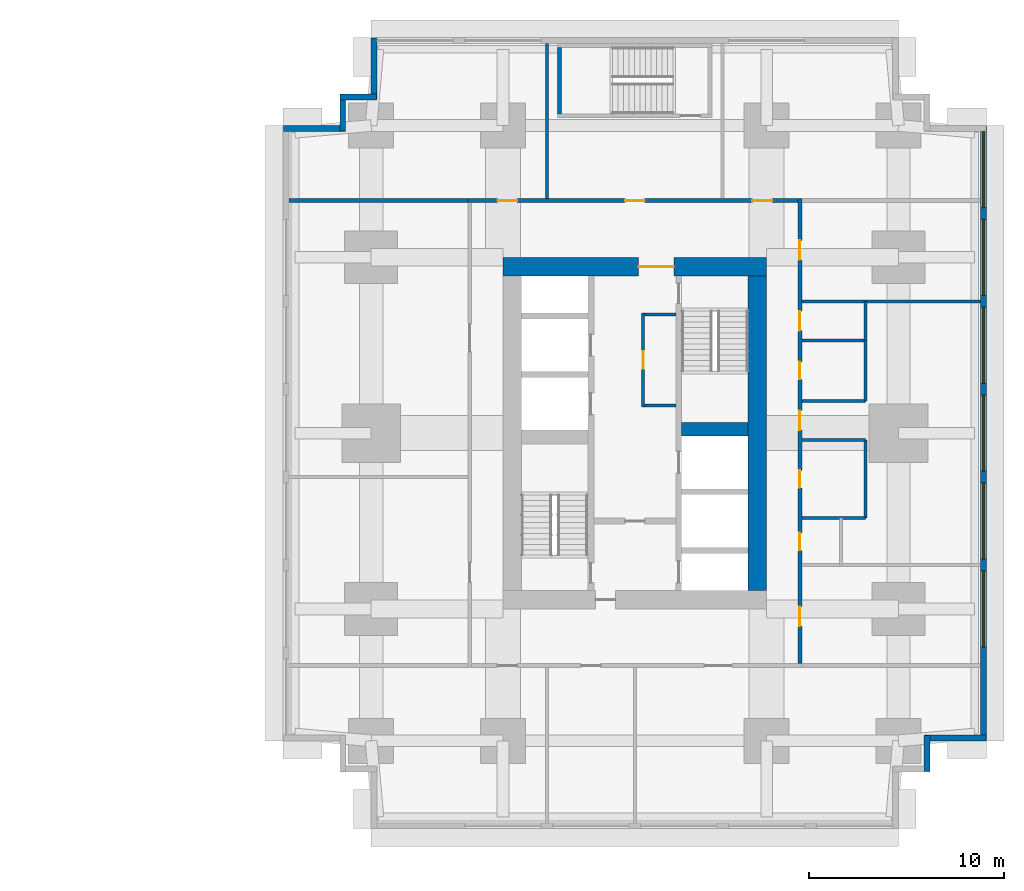
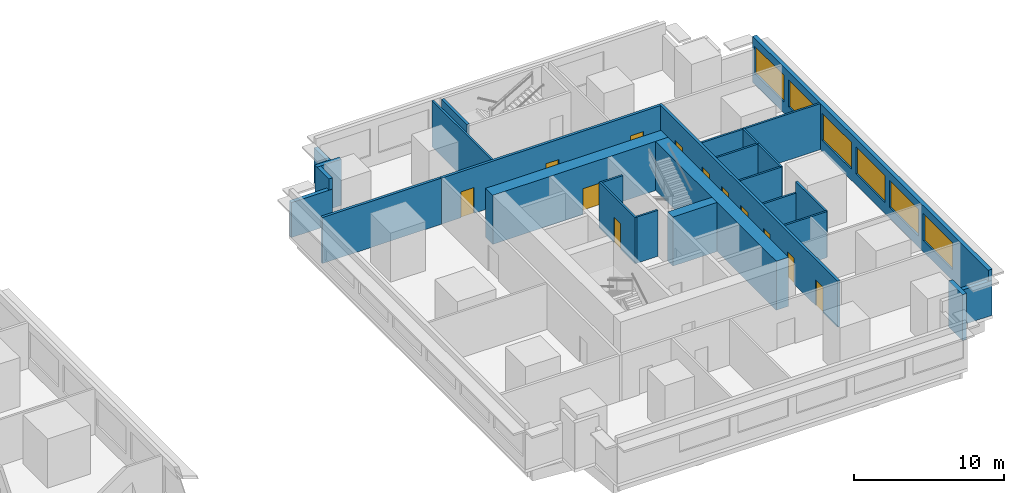
# One storey, part 7 of 11: 26 walls, 12 doors, 6 windows, 18 openings.
"""IFC4 building model written with IfcOpenShell, lengths in metres."""

from ifc_helpers import new_model, si_unit, direction, frame, frame_2d, origin, place, context, subcontext, project, spatial, rectangle, extrude, material, layer, layer_set, type_object, element, fill, save


model = new_model("IFC4")

# Units and contexts
model_context = context("Model", 3, precision=1e-05, world=origin(), true_north=direction((0.0, 1.0)))
body_context = subcontext(model_context, "Body", "Model", "MODEL_VIEW")
ifc_project = project(units=[si_unit("LENGTHUNIT", "METRE"), si_unit("AREAUNIT", "SQUARE_METRE"), si_unit("VOLUMEUNIT", "CUBIC_METRE"), si_unit("PLANEANGLEUNIT", "RADIAN"), si_unit("MASSUNIT", "GRAM", prefix="KILO")], contexts=[model_context])

# Site, building, storey
site_placement = place(None, origin())
site = spatial("IfcSite", under=ifc_project, at=site_placement, CompositionType="ELEMENT")
building_placement = place(site_placement, origin())
building = spatial("IfcBuilding", under=site, at=building_placement, Name="Namib Vertical Campus", CompositionType="ELEMENT")
storey_placement = place(building_placement, frame((0.0, 0.0, 37.0)))
storey = spatial("IfcBuildingStorey", under=building, at=storey_placement, Name="L08", CompositionType="ELEMENT", Elevation=37.0)

# Walls
ifc_material_1 = material(Name="Concrete C60/75", Category="concrete")
ifc_layer_1 = layer(ifc_material_1, 0.699951171875)
ifc_layer_set_1 = layer_set([ifc_layer_1], Name="Concrete C60/75")
wall_type_1 = type_object("IfcWallType", Name="Core shear wall 700", PredefinedType="SHEAR", material=ifc_layer_set_1)
wall_1_placement = place(storey_placement, frame((83.39990234375, 20.449951171875, 0.0), z_axis=(0.0, 0.0, 1.0), x_axis=(1.0, 0.0, 0.0)))
element("IfcWall", 1, at=wall_1_placement, inside=storey, type_object=wall_type_1, Name="Core shear wall B L08 W7", PredefinedType="SHEAR", context=body_context, shape_type="SweptSolid", body=[
    extrude(rectangle(XDim=3.400146484375, YDim=0.699951171875, at=frame_2d((1.7001953125, 0.0))), origin(), (0.0, 0.0, 1.0), 4.0),
])
ifc_material_2 = material(Name="Concrete C60/75", Category="concrete")
ifc_layer_2 = layer(ifc_material_2, 0.949951171875)
ifc_layer_set_2 = layer_set([ifc_layer_2], Name="Concrete C60/75")
wall_type_2 = type_object("IfcWallType", Name="Core wall 950", PredefinedType="SHEAR", material=ifc_layer_set_2)
wall_2_placement = place(storey_placement, frame((87.27490234375, 12.199951171875, 0.0), z_axis=(0.0, 0.0, 1.0), x_axis=(0.0, 1.0, 0.0)))
element("IfcWall", 2, at=wall_2_placement, inside=storey, type_object=wall_type_2, Name="Core wall B L08 2", PredefinedType="SHEAR", context=body_context, shape_type="SweptSolid", body=[
    extrude(rectangle(XDim=16.10009765625, YDim=0.949951171875, at=frame_2d((8.050048828125, 0.0))), origin(), (0.0, 0.0, 1.0), 4.0),
])

# Wall, opening, door
wall_3_placement = place(storey_placement, frame((87.75, 28.77490234375, 0.0), z_axis=(0.0, 0.0, 1.0), x_axis=(-1.0, 0.0, 0.0)))
wall_3 = element("IfcWall", 3, at=wall_3_placement, inside=storey, type_object=wall_type_2, Name="Core wall B L08 3", PredefinedType="SHEAR", context=body_context, shape_type="SweptSolid", body=[
    extrude(rectangle(XDim=13.5, YDim=0.949951171875, at=frame_2d((6.75, 0.0))), origin(), (0.0, 0.0, 1.0), 4.0),
])
opening_1_placement = place(wall_3_placement, frame((4.75, 0.0, 0.0)))
opening_1 = element("IfcOpeningElement", 4, at=opening_1_placement, cuts=wall_3, Name="Opening FD2", PredefinedType="OPENING", context=body_context, shape_type="SweptSolid", body=[
    extrude(rectangle(XDim=1.800048828125, YDim=2.10009765625, at=frame_2d((0.89990234375, 1.050048828125))), frame((0.0, 0.48486328125, 0.0), z_axis=(0.0, -1.0, 0.0), x_axis=(1.0, 0.0, 0.0)), (0.0, 0.0, 1.0), 0.969970703125),
])
ifc_material_3 = material(Name="Steel fire door", Category="steel")
door_type_1 = type_object("IfcDoorType", Name="Fire door double 1800x2100", OperationType="DOUBLE_DOOR_SINGLE_SWING", PredefinedType="DOOR", material=ifc_material_3)
door_1_placement = place(opening_1_placement, origin())
door_1 = element("IfcDoor", 5, at=door_1_placement, inside=storey, type_object=door_type_1, Name="Lift lobby door FD2 B L08", OperationType="DOUBLE_DOOR_SINGLE_SWING", OverallHeight=2.10009765625, OverallWidth=1.800048828125, PredefinedType="DOOR", context=body_context, shape_type="SweptSolid", body=[
    extrude(rectangle(XDim=1.800048828125, YDim=2.10009765625, at=frame_2d((0.89990234375, 1.050048828125))), frame((0.0, 0.02490234375, 0.0), z_axis=(0.0, -1.0, 0.0), x_axis=(1.0, 0.0, 0.0)), (0.0, 0.0, 1.0), 0.050048828125),
])
fill(opening_1, door_1)

# Wall, openings, doors
ifc_material_4 = material(Name="Concrete masonry", Category="masonry")
ifc_layer_3 = layer(ifc_material_4, 0.199951171875)
ifc_layer_set_3 = layer_set([ifc_layer_3], Name="Corridor wall 200")
wall_type_3 = type_object("IfcWallType", Name="Corridor wall 200", PredefinedType="SOLIDWALL", material=ifc_layer_set_3)
wall_4_placement = place(storey_placement, frame((89.449951171875, 8.449951171875, 0.0), z_axis=(0.0, 0.0, 1.0), x_axis=(0.0, 1.0, 0.0)))
wall_4 = element("IfcWall", 6, at=wall_4_placement, inside=storey, type_object=wall_type_3, Name="Corridor wall B L08 CE", PredefinedType="SOLIDWALL", context=body_context, shape_type="SweptSolid", body=[
    extrude(rectangle(XDim=23.800048828125, YDim=0.199951171875, at=frame_2d((11.89990234375, 0.0))), origin(), (0.0, 0.0, 1.0), 3.75),
])
opening_2_placement = place(wall_4_placement, frame((1.925048828125, 0.0, 0.0)))
opening_2 = element("IfcOpeningElement", 7, at=opening_2_placement, cuts=wall_4, Name="Opening CD1", PredefinedType="OPENING", context=body_context, shape_type="SweptSolid", body=[
    extrude(rectangle(XDim=1.0, YDim=2.10009765625, at=frame_2d((0.5, 1.050048828125))), frame((0.0, 0.10986328125, 0.0), z_axis=(0.0, -1.0, 0.0), x_axis=(1.0, 0.0, 0.0)), (0.0, 0.0, 1.0), 0.219970703125),
])
opening_3_placement = place(wall_4_placement, frame((5.800048828125, 0.0, 0.0)))
opening_3 = element("IfcOpeningElement", 8, at=opening_3_placement, cuts=wall_4, Name="Opening CD3", PredefinedType="OPENING", context=body_context, shape_type="SweptSolid", body=[
    extrude(rectangle(XDim=0.89990234375, YDim=2.10009765625, at=frame_2d((0.449951171875, 1.050048828125))), frame((0.0, 0.10986328125, 0.0), z_axis=(0.0, -1.0, 0.0), x_axis=(1.0, 0.0, 0.0)), (0.0, 0.0, 1.0), 0.219970703125),
])
opening_4_placement = place(wall_4_placement, frame((9.0, 0.0, 0.0)))
opening_4 = element("IfcOpeningElement", 9, at=opening_4_placement, cuts=wall_4, Name="Opening CD3", PredefinedType="OPENING", context=body_context, shape_type="SweptSolid", body=[
    extrude(rectangle(XDim=0.89990234375, YDim=2.10009765625, at=frame_2d((0.449951171875, 1.050048828125))), frame((0.0, 0.10986328125, 0.0), z_axis=(0.0, -1.0, 0.0), x_axis=(1.0, 0.0, 0.0)), (0.0, 0.0, 1.0), 0.219970703125),
])
opening_5_placement = place(wall_4_placement, frame((14.550048828125, 0.0, 0.0)))
opening_5 = element("IfcOpeningElement", 10, at=opening_5_placement, cuts=wall_4, Name="Opening CD3", PredefinedType="OPENING", context=body_context, shape_type="SweptSolid", body=[
    extrude(rectangle(XDim=0.89990234375, YDim=2.10009765625, at=frame_2d((0.449951171875, 1.050048828125))), frame((0.0, 0.10986328125, 0.0), z_axis=(0.0, -1.0, 0.0), x_axis=(1.0, 0.0, 0.0)), (0.0, 0.0, 1.0), 0.219970703125),
])
opening_6_placement = place(wall_4_placement, frame((17.050048828125, 0.0, 0.0)))
opening_6 = element("IfcOpeningElement", 11, at=opening_6_placement, cuts=wall_4, Name="Opening CD1", PredefinedType="OPENING", context=body_context, shape_type="SweptSolid", body=[
    extrude(rectangle(XDim=1.0, YDim=2.10009765625, at=frame_2d((0.5, 1.050048828125))), frame((0.0, 0.10986328125, 0.0), z_axis=(0.0, -1.0, 0.0), x_axis=(1.0, 0.0, 0.0)), (0.0, 0.0, 1.0), 0.219970703125),
])
opening_7_placement = place(wall_4_placement, frame((11.949951171875, 0.0, 0.0)))
opening_7 = element("IfcOpeningElement", 12, at=opening_7_placement, cuts=wall_4, Name="Opening CD1", PredefinedType="OPENING", context=body_context, shape_type="SweptSolid", body=[
    extrude(rectangle(XDim=1.0, YDim=2.10009765625, at=frame_2d((0.5, 1.050048828125))), frame((0.0, 0.10986328125, 0.0), z_axis=(0.0, -1.0, 0.0), x_axis=(1.0, 0.0, 0.0)), (0.0, 0.0, 1.0), 0.219970703125),
])
opening_8_placement = place(wall_4_placement, frame((20.675048828125, 0.0, 0.0)))
opening_8 = element("IfcOpeningElement", 13, at=opening_8_placement, cuts=wall_4, Name="Opening CD1", PredefinedType="OPENING", context=body_context, shape_type="SweptSolid", body=[
    extrude(rectangle(XDim=1.0, YDim=2.10009765625, at=frame_2d((0.5, 1.050048828125))), frame((0.0, 0.10986328125, 0.0), z_axis=(0.0, -1.0, 0.0), x_axis=(1.0, 0.0, 0.0)), (0.0, 0.0, 1.0), 0.219970703125),
])
ifc_material_5 = material(Name="Timber fire door leaf", Category="wood")
door_type_2 = type_object("IfcDoorType", Name="Corridor door 1000x2100 20 min", OperationType="SINGLE_SWING_LEFT", PredefinedType="DOOR", material=ifc_material_5)
door_2_placement = place(opening_2_placement, frame((1.0, 0.0, 0.0), z_axis=(0.0, 0.0, 1.0), x_axis=(-1.0, 0.0, 0.0)))
door_2 = element("IfcDoor", 14, at=door_2_placement, inside=storey, type_object=door_type_2, Name="Door CD1 B08-04", OperationType="SINGLE_SWING_RIGHT", OverallHeight=2.10009765625, OverallWidth=1.0, PredefinedType="DOOR", context=body_context, shape_type="SweptSolid", body=[
    extrude(rectangle(XDim=1.0, YDim=2.10009765625, at=frame_2d((0.5, 1.050048828125))), frame((0.0, 0.02490234375, 0.0), z_axis=(0.0, -1.0, 0.0), x_axis=(1.0, 0.0, 0.0)), (0.0, 0.0, 1.0), 0.050048828125),
])
fill(opening_2, door_2)
door_3_placement = place(opening_6_placement, frame((1.0, 0.0, 0.0), z_axis=(0.0, 0.0, 1.0), x_axis=(-1.0, 0.0, 0.0)))
door_3 = element("IfcDoor", 15, at=door_3_placement, inside=storey, type_object=door_type_2, Name="Door CD1 B08-08", OperationType="SINGLE_SWING_RIGHT", OverallHeight=2.10009765625, OverallWidth=1.0, PredefinedType="DOOR", context=body_context, shape_type="SweptSolid", body=[
    extrude(rectangle(XDim=1.0, YDim=2.10009765625, at=frame_2d((0.5, 1.050048828125))), frame((0.0, 0.02490234375, 0.0), z_axis=(0.0, -1.0, 0.0), x_axis=(1.0, 0.0, 0.0)), (0.0, 0.0, 1.0), 0.050048828125),
])
fill(opening_6, door_3)
door_4_placement = place(opening_7_placement, frame((1.0, 0.0, 0.0), z_axis=(0.0, 0.0, 1.0), x_axis=(-1.0, 0.0, 0.0)))
door_4 = element("IfcDoor", 16, at=door_4_placement, inside=storey, type_object=door_type_2, Name="Door CD1 B08-09", OperationType="SINGLE_SWING_RIGHT", OverallHeight=2.10009765625, OverallWidth=1.0, PredefinedType="DOOR", context=body_context, shape_type="SweptSolid", body=[
    extrude(rectangle(XDim=1.0, YDim=2.10009765625, at=frame_2d((0.5, 1.050048828125))), frame((0.0, 0.02490234375, 0.0), z_axis=(0.0, -1.0, 0.0), x_axis=(1.0, 0.0, 0.0)), (0.0, 0.0, 1.0), 0.050048828125),
])
fill(opening_7, door_4)
door_5_placement = place(opening_8_placement, frame((1.0, 0.0, 0.0), z_axis=(0.0, 0.0, 1.0), x_axis=(-1.0, 0.0, 0.0)))
door_5 = element("IfcDoor", 17, at=door_5_placement, inside=storey, type_object=door_type_2, Name="Door CD1 B08-10", OperationType="SINGLE_SWING_RIGHT", OverallHeight=2.10009765625, OverallWidth=1.0, PredefinedType="DOOR", context=body_context, shape_type="SweptSolid", body=[
    extrude(rectangle(XDim=1.0, YDim=2.10009765625, at=frame_2d((0.5, 1.050048828125))), frame((0.0, 0.02490234375, 0.0), z_axis=(0.0, -1.0, 0.0), x_axis=(1.0, 0.0, 0.0)), (0.0, 0.0, 1.0), 0.050048828125),
])
fill(opening_8, door_5)
ifc_material_6 = material(Name="Timber fire door leaf", Category="wood")
door_type_3 = type_object("IfcDoorType", Name="Corridor toilet door 900x2100 20 min", OperationType="SINGLE_SWING_LEFT", PredefinedType="DOOR", material=ifc_material_6)
door_6_placement = place(opening_3_placement, frame((0.89990234375, 0.0, 0.0), z_axis=(0.0, 0.0, 1.0), x_axis=(-1.0, 0.0, 0.0)))
door_6 = element("IfcDoor", 18, at=door_6_placement, inside=storey, type_object=door_type_3, Name="Door CD3 B08-05", OperationType="SINGLE_SWING_RIGHT", OverallHeight=2.10009765625, OverallWidth=0.89990234375, PredefinedType="DOOR", context=body_context, shape_type="SweptSolid", body=[
    extrude(rectangle(XDim=0.89990234375, YDim=2.10009765625, at=frame_2d((0.449951171875, 1.050048828125))), frame((0.0, 0.02490234375, 0.0), z_axis=(0.0, -1.0, 0.0), x_axis=(1.0, 0.0, 0.0)), (0.0, 0.0, 1.0), 0.050048828125),
])
fill(opening_3, door_6)
door_7_placement = place(opening_4_placement, frame((0.89990234375, 0.0, 0.0), z_axis=(0.0, 0.0, 1.0), x_axis=(-1.0, 0.0, 0.0)))
door_7 = element("IfcDoor", 19, at=door_7_placement, inside=storey, type_object=door_type_3, Name="Door CD3 B08-06", OperationType="SINGLE_SWING_RIGHT", OverallHeight=2.10009765625, OverallWidth=0.89990234375, PredefinedType="DOOR", context=body_context, shape_type="SweptSolid", body=[
    extrude(rectangle(XDim=0.89990234375, YDim=2.10009765625, at=frame_2d((0.449951171875, 1.050048828125))), frame((0.0, 0.02490234375, 0.0), z_axis=(0.0, -1.0, 0.0), x_axis=(1.0, 0.0, 0.0)), (0.0, 0.0, 1.0), 0.050048828125),
])
fill(opening_4, door_7)
door_8_placement = place(opening_5_placement, frame((0.89990234375, 0.0, 0.0), z_axis=(0.0, 0.0, 1.0), x_axis=(-1.0, 0.0, 0.0)))
door_8 = element("IfcDoor", 20, at=door_8_placement, inside=storey, type_object=door_type_3, Name="Door CD3 B08-07", OperationType="SINGLE_SWING_RIGHT", OverallHeight=2.10009765625, OverallWidth=0.89990234375, PredefinedType="DOOR", context=body_context, shape_type="SweptSolid", body=[
    extrude(rectangle(XDim=0.89990234375, YDim=2.10009765625, at=frame_2d((0.449951171875, 1.050048828125))), frame((0.0, 0.02490234375, 0.0), z_axis=(0.0, -1.0, 0.0), x_axis=(1.0, 0.0, 0.0)), (0.0, 0.0, 1.0), 0.050048828125),
])
fill(opening_5, door_8)

wall_5_placement = place(storey_placement, frame((89.35009765625, 32.14990234375, 0.0), z_axis=(0.0, 0.0, 1.0), x_axis=(-1.0, 0.0, 0.0)))
wall_5 = element("IfcWall", 21, at=wall_5_placement, inside=storey, type_object=wall_type_3, Name="Corridor wall B L08 CN", PredefinedType="SOLIDWALL", context=body_context, shape_type="SweptSolid", body=[
    extrude(rectangle(XDim=16.900146484375, YDim=0.199951171875, at=frame_2d((8.4501953125, 0.0))), origin(), (0.0, 0.0, 1.0), 3.75),
])
opening_9_placement = place(wall_5_placement, frame((14.375, 0.0, 0.0)))
opening_9 = element("IfcOpeningElement", 22, at=opening_9_placement, cuts=wall_5, Name="Opening CD1", PredefinedType="OPENING", context=body_context, shape_type="SweptSolid", body=[
    extrude(rectangle(XDim=1.0, YDim=2.10009765625, at=frame_2d((0.5, 1.050048828125))), frame((0.0, 0.10986328125, 0.0), z_axis=(0.0, -1.0, 0.0), x_axis=(1.0, 0.0, 0.0)), (0.0, 0.0, 1.0), 0.219970703125),
])
opening_10_placement = place(wall_5_placement, frame((7.85009765625, 0.0, 0.0)))
opening_10 = element("IfcOpeningElement", 23, at=opening_10_placement, cuts=wall_5, Name="Opening CD1", PredefinedType="OPENING", context=body_context, shape_type="SweptSolid", body=[
    extrude(rectangle(XDim=1.0, YDim=2.10009765625, at=frame_2d((0.5, 1.050048828125))), frame((0.0, 0.10986328125, 0.0), z_axis=(0.0, -1.0, 0.0), x_axis=(1.0, 0.0, 0.0)), (0.0, 0.0, 1.0), 0.219970703125),
])
opening_11_placement = place(wall_5_placement, frame((1.324951171875, 0.0, 0.0)))
opening_11 = element("IfcOpeningElement", 24, at=opening_11_placement, cuts=wall_5, Name="Opening CD1", PredefinedType="OPENING", context=body_context, shape_type="SweptSolid", body=[
    extrude(rectangle(XDim=1.0, YDim=2.10009765625, at=frame_2d((0.5, 1.050048828125))), frame((0.0, 0.10986328125, 0.0), z_axis=(0.0, -1.0, 0.0), x_axis=(1.0, 0.0, 0.0)), (0.0, 0.0, 1.0), 0.219970703125),
])
door_9_placement = place(opening_9_placement, frame((1.0, 0.0, 0.0), z_axis=(0.0, 0.0, 1.0), x_axis=(-1.0, 0.0, 0.0)))
door_9 = element("IfcDoor", 25, at=door_9_placement, inside=storey, type_object=door_type_2, Name="Door CD1 B08-11", OperationType="SINGLE_SWING_RIGHT", OverallHeight=2.10009765625, OverallWidth=1.0, PredefinedType="DOOR", context=body_context, shape_type="SweptSolid", body=[
    extrude(rectangle(XDim=1.0, YDim=2.10009765625, at=frame_2d((0.5, 1.050048828125))), frame((0.0, 0.02490234375, 0.0), z_axis=(0.0, -1.0, 0.0), x_axis=(1.0, 0.0, 0.0)), (0.0, 0.0, 1.0), 0.050048828125),
])
fill(opening_9, door_9)
door_10_placement = place(opening_10_placement, frame((1.0, 0.0, 0.0), z_axis=(0.0, 0.0, 1.0), x_axis=(-1.0, 0.0, 0.0)))
door_10 = element("IfcDoor", 26, at=door_10_placement, inside=storey, type_object=door_type_2, Name="Door CD1 B08-12", OperationType="SINGLE_SWING_RIGHT", OverallHeight=2.10009765625, OverallWidth=1.0, PredefinedType="DOOR", context=body_context, shape_type="SweptSolid", body=[
    extrude(rectangle(XDim=1.0, YDim=2.10009765625, at=frame_2d((0.5, 1.050048828125))), frame((0.0, 0.02490234375, 0.0), z_axis=(0.0, -1.0, 0.0), x_axis=(1.0, 0.0, 0.0)), (0.0, 0.0, 1.0), 0.050048828125),
])
fill(opening_10, door_10)
door_11_placement = place(opening_11_placement, frame((1.0, 0.0, 0.0), z_axis=(0.0, 0.0, 1.0), x_axis=(-1.0, 0.0, 0.0)))
door_11 = element("IfcDoor", 27, at=door_11_placement, inside=storey, type_object=door_type_2, Name="Door CD1 B08-13", OperationType="SINGLE_SWING_LEFT", OverallHeight=2.10009765625, OverallWidth=1.0, PredefinedType="DOOR", context=body_context, shape_type="SweptSolid", body=[
    extrude(rectangle(XDim=1.0, YDim=2.10009765625, at=frame_2d((0.5, 1.050048828125))), frame((0.0, 0.02490234375, 0.0), z_axis=(0.0, -1.0, 0.0), x_axis=(1.0, 0.0, 0.0)), (0.0, 0.0, 1.0), 0.050048828125),
])
fill(opening_11, door_11)

# Walls
wall_6_placement = place(storey_placement, frame((63.300048828125, 32.14990234375, 0.0), z_axis=(0.0, 0.0, 1.0), x_axis=(1.0, 0.0, 0.0)))
element("IfcWall", 28, at=wall_6_placement, inside=storey, type_object=wall_type_3, Name="Partition B L08 BNW", PredefinedType="SOLIDWALL", context=body_context, shape_type="SweptSolid", body=[
    extrude(rectangle(XDim=9.14990234375, YDim=0.199951171875, at=frame_2d((4.574951171875, 0.0))), origin(), (0.0, 0.0, 1.0), 3.75),
])
ifc_material_7 = material(Name="Concrete C40/50", Category="concrete")
ifc_layer_4 = layer(ifc_material_7, 0.300048828125)
ifc_layer_set_4 = layer_set([ifc_layer_4], Name="Concrete C40/50")
wall_type_4 = type_object("IfcWallType", Name="External wall 300 board-marked concrete", PredefinedType="STANDARD", material=ifc_layer_set_4)
wall_7_placement = place(storey_placement, frame((95.949951171875, 2.919921875, 0.0), z_axis=(0.0, 0.0, 1.0), x_axis=(0.0, 1.0, 0.0)))
element("IfcWall", 29, at=wall_7_placement, inside=storey, type_object=wall_type_4, Name="External wall L08 F04", PredefinedType="STANDARD", context=body_context, shape_type="SweptSolid", body=[
    extrude(rectangle(XDim=1.860107421875, YDim=0.300048828125, at=frame_2d((0.93017578125, 0.0))), origin(), (0.0, 0.0, 1.0), 3.75),
])
wall_8_placement = place(storey_placement, frame((95.820068359375, 4.64990234375, 0.0), z_axis=(0.0, 0.0, 1.0), x_axis=(1.0, 0.0, 0.0)))
element("IfcWall", 30, at=wall_8_placement, inside=storey, type_object=wall_type_4, Name="External wall L08 F05", PredefinedType="STANDARD", context=body_context, shape_type="SweptSolid", body=[
    extrude(rectangle(XDim=3.159912109375, YDim=0.300048828125, at=frame_2d((1.580078125, 0.0))), origin(), (0.0, 0.0, 1.0), 2.85009765625),
])

# Wall, openings, windows
wall_9_placement = place(storey_placement, frame((98.85009765625, 4.52001953125, 0.0), z_axis=(0.0, 0.0, 1.0), x_axis=(0.0, 1.0, 0.0)))
wall_9 = element("IfcWall", 31, at=wall_9_placement, inside=storey, type_object=wall_type_4, Name="External wall L08 F06", PredefinedType="STANDARD", context=body_context, shape_type="SweptSolid", body=[
    extrude(rectangle(XDim=31.4599609375, YDim=0.300048828125, at=frame_2d((15.72998046875, 0.0))), origin(), (0.0, 0.0, 1.0), 3.75),
])
opening_12_placement = place(wall_9_placement, frame((4.780029296875, 0.0, 0.89990234375)))
opening_12 = element("IfcOpeningElement", 32, at=opening_12_placement, cuts=wall_9, Name="Opening W1", PredefinedType="OPENING", context=body_context, shape_type="SweptSolid", body=[
    extrude(rectangle(XDim=3.89990234375, YDim=2.199951171875, at=frame_2d((1.949951171875, 1.10009765625))), frame((0.0, 0.159912109375, 0.0), z_axis=(0.0, -1.0, 0.0), x_axis=(1.0, 0.0, 0.0)), (0.0, 0.0, 1.0), 0.320068359375),
])
opening_13_placement = place(wall_9_placement, frame((9.280029296875, 0.0, 0.89990234375)))
opening_13 = element("IfcOpeningElement", 33, at=opening_13_placement, cuts=wall_9, Name="Opening W1", PredefinedType="OPENING", context=body_context, shape_type="SweptSolid", body=[
    extrude(rectangle(XDim=3.89990234375, YDim=2.199951171875, at=frame_2d((1.949951171875, 1.10009765625))), frame((0.0, 0.159912109375, 0.0), z_axis=(0.0, -1.0, 0.0), x_axis=(1.0, 0.0, 0.0)), (0.0, 0.0, 1.0), 0.320068359375),
])
opening_14_placement = place(wall_9_placement, frame((13.780029296875, 0.0, 0.89990234375)))
opening_14 = element("IfcOpeningElement", 34, at=opening_14_placement, cuts=wall_9, Name="Opening W1", PredefinedType="OPENING", context=body_context, shape_type="SweptSolid", body=[
    extrude(rectangle(XDim=3.89990234375, YDim=2.199951171875, at=frame_2d((1.949951171875, 1.10009765625))), frame((0.0, 0.159912109375, 0.0), z_axis=(0.0, -1.0, 0.0), x_axis=(1.0, 0.0, 0.0)), (0.0, 0.0, 1.0), 0.320068359375),
])
opening_15_placement = place(wall_9_placement, frame((18.280029296875, 0.0, 0.89990234375)))
opening_15 = element("IfcOpeningElement", 35, at=opening_15_placement, cuts=wall_9, Name="Opening W1", PredefinedType="OPENING", context=body_context, shape_type="SweptSolid", body=[
    extrude(rectangle(XDim=3.89990234375, YDim=2.199951171875, at=frame_2d((1.949951171875, 1.10009765625))), frame((0.0, 0.159912109375, 0.0), z_axis=(0.0, -1.0, 0.0), x_axis=(1.0, 0.0, 0.0)), (0.0, 0.0, 1.0), 0.320068359375),
])
opening_16_placement = place(wall_9_placement, frame((22.780029296875, 0.0, 0.89990234375)))
opening_16 = element("IfcOpeningElement", 36, at=opening_16_placement, cuts=wall_9, Name="Opening W1", PredefinedType="OPENING", context=body_context, shape_type="SweptSolid", body=[
    extrude(rectangle(XDim=3.89990234375, YDim=2.199951171875, at=frame_2d((1.949951171875, 1.10009765625))), frame((0.0, 0.159912109375, 0.0), z_axis=(0.0, -1.0, 0.0), x_axis=(1.0, 0.0, 0.0)), (0.0, 0.0, 1.0), 0.320068359375),
])
opening_17_placement = place(wall_9_placement, frame((27.280029296875, 0.0, 0.89990234375)))
opening_17 = element("IfcOpeningElement", 37, at=opening_17_placement, cuts=wall_9, Name="Opening W1", PredefinedType="OPENING", context=body_context, shape_type="SweptSolid", body=[
    extrude(rectangle(XDim=3.89990234375, YDim=2.199951171875, at=frame_2d((1.949951171875, 1.10009765625))), frame((0.0, 0.159912109375, 0.0), z_axis=(0.0, -1.0, 0.0), x_axis=(1.0, 0.0, 0.0)), (0.0, 0.0, 1.0), 0.320068359375),
])
ifc_material_8 = material(Name="Dark tinted glass in black aluminium frame", Category="aluminium")
window_type = type_object("IfcWindowType", Name="Ribbon window 3900x2200", PartitioningType="SINGLE_PANEL", PredefinedType="WINDOW", material=ifc_material_8)
window_1_placement = place(opening_12_placement, origin())
window_1 = element("IfcWindow", 38, at=window_1_placement, inside=storey, type_object=window_type, Name="Window W1 L08 F06-2", OverallHeight=2.199951171875, OverallWidth=3.89990234375, PartitioningType="SINGLE_PANEL", PredefinedType="WINDOW", context=body_context, shape_type="SweptSolid", body=[
    extrude(rectangle(XDim=3.89990234375, YDim=2.199951171875, at=frame_2d((1.949951171875, 1.10009765625))), frame((0.0, 0.030029296875, 0.0), z_axis=(0.0, -1.0, 0.0), x_axis=(1.0, 0.0, 0.0)), (0.0, 0.0, 1.0), 0.06005859375),
])
fill(opening_12, window_1)
window_2_placement = place(opening_13_placement, origin())
window_2 = element("IfcWindow", 39, at=window_2_placement, inside=storey, type_object=window_type, Name="Window W1 L08 F06-3", OverallHeight=2.199951171875, OverallWidth=3.89990234375, PartitioningType="SINGLE_PANEL", PredefinedType="WINDOW", context=body_context, shape_type="SweptSolid", body=[
    extrude(rectangle(XDim=3.89990234375, YDim=2.199951171875, at=frame_2d((1.949951171875, 1.10009765625))), frame((0.0, 0.030029296875, 0.0), z_axis=(0.0, -1.0, 0.0), x_axis=(1.0, 0.0, 0.0)), (0.0, 0.0, 1.0), 0.06005859375),
])
fill(opening_13, window_2)
window_3_placement = place(opening_14_placement, origin())
window_3 = element("IfcWindow", 40, at=window_3_placement, inside=storey, type_object=window_type, Name="Window W1 L08 F06-4", OverallHeight=2.199951171875, OverallWidth=3.89990234375, PartitioningType="SINGLE_PANEL", PredefinedType="WINDOW", context=body_context, shape_type="SweptSolid", body=[
    extrude(rectangle(XDim=3.89990234375, YDim=2.199951171875, at=frame_2d((1.949951171875, 1.10009765625))), frame((0.0, 0.030029296875, 0.0), z_axis=(0.0, -1.0, 0.0), x_axis=(1.0, 0.0, 0.0)), (0.0, 0.0, 1.0), 0.06005859375),
])
fill(opening_14, window_3)
window_4_placement = place(opening_15_placement, origin())
window_4 = element("IfcWindow", 41, at=window_4_placement, inside=storey, type_object=window_type, Name="Window W1 L08 F06-5", OverallHeight=2.199951171875, OverallWidth=3.89990234375, PartitioningType="SINGLE_PANEL", PredefinedType="WINDOW", context=body_context, shape_type="SweptSolid", body=[
    extrude(rectangle(XDim=3.89990234375, YDim=2.199951171875, at=frame_2d((1.949951171875, 1.10009765625))), frame((0.0, 0.030029296875, 0.0), z_axis=(0.0, -1.0, 0.0), x_axis=(1.0, 0.0, 0.0)), (0.0, 0.0, 1.0), 0.06005859375),
])
fill(opening_15, window_4)
window_5_placement = place(opening_16_placement, origin())
window_5 = element("IfcWindow", 42, at=window_5_placement, inside=storey, type_object=window_type, Name="Window W1 L08 F06-6", OverallHeight=2.199951171875, OverallWidth=3.89990234375, PartitioningType="SINGLE_PANEL", PredefinedType="WINDOW", context=body_context, shape_type="SweptSolid", body=[
    extrude(rectangle(XDim=3.89990234375, YDim=2.199951171875, at=frame_2d((1.949951171875, 1.10009765625))), frame((0.0, 0.030029296875, 0.0), z_axis=(0.0, -1.0, 0.0), x_axis=(1.0, 0.0, 0.0)), (0.0, 0.0, 1.0), 0.06005859375),
])
fill(opening_16, window_5)
window_6_placement = place(opening_17_placement, origin())
window_6 = element("IfcWindow", 43, at=window_6_placement, inside=storey, type_object=window_type, Name="Window W1 L08 F06-7", OverallHeight=2.199951171875, OverallWidth=3.89990234375, PartitioningType="SINGLE_PANEL", PredefinedType="WINDOW", context=body_context, shape_type="SweptSolid", body=[
    extrude(rectangle(XDim=3.89990234375, YDim=2.199951171875, at=frame_2d((1.949951171875, 1.10009765625))), frame((0.0, 0.030029296875, 0.0), z_axis=(0.0, -1.0, 0.0), x_axis=(1.0, 0.0, 0.0)), (0.0, 0.0, 1.0), 0.06005859375),
])
fill(opening_17, window_6)

# Walls
wall_10_placement = place(storey_placement, frame((67.64990234375, 40.47998046875, 0.0), z_axis=(0.0, 0.0, 1.0), x_axis=(0.0, -1.0, 0.0)))
element("IfcWall", 44, at=wall_10_placement, inside=storey, type_object=wall_type_4, Name="External wall L08 F12", PredefinedType="STANDARD", context=body_context, shape_type="SweptSolid", body=[
    extrude(rectangle(XDim=3.159912109375, YDim=0.300048828125, at=frame_2d((1.580078125, 0.0))), origin(), (0.0, 0.0, 1.0), 2.85009765625),
])
for number, where, z_axis, x_axis, name in (
    (45, (67.780029296875, 37.449951171875, 0.0), (0.0, 0.0, 1.0), (-1.0, 0.0, 0.0), "External wall L08 F13"),
    (46, (66.050048828125, 37.580078125, 0.0), (0.0, 0.0, 1.0), (0.0, -1.0, 0.0), "External wall L08 F14"),
):
    element("IfcWall", number, at=place(storey_placement, frame(where, z_axis=z_axis, x_axis=x_axis)), inside=storey, type_object=wall_type_4, Name=name, PredefinedType="STANDARD", context=body_context, shape_type="SweptSolid", body=[
        extrude(rectangle(XDim=1.860107421875, YDim=0.300048828125, at=frame_2d((0.93017578125, 0.0))), origin(), (0.0, 0.0, 1.0), 3.75),
    ])
wall_11_placement = place(storey_placement, frame((66.179931640625, 35.85009765625, 0.0), z_axis=(0.0, 0.0, 1.0), x_axis=(-1.0, 0.0, 0.0)))
element("IfcWall", 47, at=wall_11_placement, inside=storey, type_object=wall_type_4, Name="External wall L08 F15", PredefinedType="STANDARD", context=body_context, shape_type="SweptSolid", body=[
    extrude(rectangle(XDim=3.159912109375, YDim=0.300048828125, at=frame_2d((1.580078125, 0.0))), origin(), (0.0, 0.0, 1.0), 2.85009765625),
])

# Wall, opening, door
ifc_material_9 = material(Name="Gypsum board on steel studs", Category="steel")
ifc_layer_5 = layer(ifc_material_9, 0.14990234375)
ifc_layer_set_5 = layer_set([ifc_layer_5], Name="Gypsum board on steel studs")
wall_type_5 = type_object("IfcWallType", Name="Partition 150", PredefinedType="PARTITIONING", material=ifc_layer_set_5)
wall_12_placement = place(storey_placement, frame((81.425048828125, 21.60009765625, 0.0), z_axis=(0.0, 0.0, 1.0), x_axis=(0.0, 1.0, 0.0)))
wall_12 = element("IfcWall", 48, at=wall_12_placement, inside=storey, type_object=wall_type_5, Name="Partition B L08 Staff pantry front", PredefinedType="PARTITIONING", context=body_context, shape_type="SweptSolid", body=[
    extrude(rectangle(XDim=4.7998046875, YDim=0.14990234375, at=frame_2d((2.39990234375, 0.0))), origin(), (0.0, 0.0, 1.0), 3.75),
])
opening_18_placement = place(wall_12_placement, frame((1.949951171875, 0.0, 0.0)))
opening_18 = element("IfcOpeningElement", 49, at=opening_18_placement, cuts=wall_12, Name="Opening D3", PredefinedType="OPENING", context=body_context, shape_type="SweptSolid", body=[
    extrude(rectangle(XDim=0.89990234375, YDim=2.10009765625, at=frame_2d((0.449951171875, 1.050048828125))), frame((0.0, 0.0849609375, 0.0), z_axis=(0.0, -1.0, 0.0), x_axis=(1.0, 0.0, 0.0)), (0.0, 0.0, 1.0), 0.169921875),
])
ifc_material_10 = material(Name="Timber door leaf", Category="wood")
door_type_4 = type_object("IfcDoorType", Name="Toilet door 900x2100", OperationType="SINGLE_SWING_LEFT", PredefinedType="DOOR", material=ifc_material_10)
door_12_placement = place(opening_18_placement, frame((0.89990234375, 0.0, 0.0), z_axis=(0.0, 0.0, 1.0), x_axis=(-1.0, 0.0, 0.0)))
door_12 = element("IfcDoor", 50, at=door_12_placement, inside=storey, type_object=door_type_4, Name="Door D3 Staff pantry B L08", OperationType="SINGLE_SWING_RIGHT", OverallHeight=2.10009765625, OverallWidth=0.89990234375, PredefinedType="DOOR", context=body_context, shape_type="SweptSolid", body=[
    extrude(rectangle(XDim=0.89990234375, YDim=2.10009765625, at=frame_2d((0.449951171875, 1.050048828125))), frame((0.0, 0.02490234375, 0.0), z_axis=(0.0, -1.0, 0.0), x_axis=(1.0, 0.0, 0.0)), (0.0, 0.0, 1.0), 0.050048828125),
])
fill(opening_18, door_12)

# Walls
for number, where, z_axis, x_axis, name in (
    (51, (81.5, 21.675048828125, 0.0), (0.0, 0.0, 1.0), (1.0, 0.0, 0.0), "Partition B L08 Staff pantry end 1"),
    (52, (81.5, 26.324951171875, 0.0), (0.0, 0.0, 1.0), (1.0, 0.0, 0.0), "Partition B L08 Staff pantry end 2"),
):
    element("IfcWall", number, at=place(storey_placement, frame(where, z_axis=z_axis, x_axis=x_axis)), inside=storey, type_object=wall_type_5, Name=name, PredefinedType="PARTITIONING", context=body_context, shape_type="SweptSolid", body=[
        extrude(rectangle(XDim=1.60009765625, YDim=0.14990234375, at=frame_2d((0.800048828125, 0.0))), origin(), (0.0, 0.0, 1.0), 3.75),
    ])
wall_13_placement = place(storey_placement, frame((76.5, 32.25, 0.0), z_axis=(0.0, 0.0, 1.0), x_axis=(0.0, 1.0, 0.0)))
element("IfcWall", 53, at=wall_13_placement, inside=storey, type_object=wall_type_5, Name="Partition B L08 PN1", PredefinedType="PARTITIONING", context=body_context, shape_type="SweptSolid", body=[
    extrude(rectangle(XDim=7.949951171875, YDim=0.14990234375, at=frame_2d((3.97509765625, 0.0))), origin(), (0.0, 0.0, 1.0), 3.75),
])
wall_14_placement = place(storey_placement, frame((89.550048828125, 27.0, 0.0), z_axis=(0.0, 0.0, 1.0), x_axis=(1.0, 0.0, 0.0)))
element("IfcWall", 54, at=wall_14_placement, inside=storey, type_object=wall_type_5, Name="Partition B L08 PE2", PredefinedType="PARTITIONING", context=body_context, shape_type="SweptSolid", body=[
    extrude(rectangle(XDim=9.14990234375, YDim=0.14990234375, at=frame_2d((4.574951171875, 0.0))), origin(), (0.0, 0.0, 1.0), 3.75),
])
wall_15_placement = place(storey_placement, frame((89.550048828125, 15.89990234375, 0.0), z_axis=(0.0, 0.0, 1.0), x_axis=(1.0, 0.0, 0.0)))
element("IfcWall", 55, at=wall_15_placement, inside=storey, type_object=wall_type_5, Name="Partition B L08 WR1", PredefinedType="PARTITIONING", context=body_context, shape_type="SweptSolid", body=[
    extrude(rectangle(XDim=3.25, YDim=0.14990234375, at=frame_2d((1.625, 0.0))), origin(), (0.0, 0.0, 1.0), 3.75),
])
wall_16_placement = place(storey_placement, frame((89.550048828125, 19.89990234375, 0.0), z_axis=(0.0, 0.0, 1.0), x_axis=(1.0, 0.0, 0.0)))
element("IfcWall", 56, at=wall_16_placement, inside=storey, type_object=wall_type_5, Name="Partition B L08 WR2", PredefinedType="PARTITIONING", context=body_context, shape_type="SweptSolid", body=[
    extrude(rectangle(XDim=3.25, YDim=0.14990234375, at=frame_2d((1.625, 0.0))), origin(), (0.0, 0.0, 1.0), 2.85009765625),
])
for number, where, z_axis, x_axis, name in (
    (57, (89.550048828125, 21.89990234375, 0.0), (0.0, 0.0, 1.0), (1.0, 0.0, 0.0), "Partition B L08 WR3"),
    (58, (89.550048828125, 25.0, 0.0), (0.0, 0.0, 1.0), (1.0, 0.0, 0.0), "Partition B L08 WR4"),
):
    element("IfcWall", number, at=place(storey_placement, frame(where, z_axis=z_axis, x_axis=x_axis)), inside=storey, type_object=wall_type_5, Name=name, PredefinedType="PARTITIONING", context=body_context, shape_type="SweptSolid", body=[
        extrude(rectangle(XDim=3.25, YDim=0.14990234375, at=frame_2d((1.625, 0.0))), origin(), (0.0, 0.0, 1.0), 3.75),
    ])
wall_17_placement = place(storey_placement, frame((92.800048828125, 15.89990234375, 0.0), z_axis=(0.0, 0.0, 1.0), x_axis=(0.0, 1.0, 0.0)))
element("IfcWall", 59, at=wall_17_placement, inside=storey, type_object=wall_type_5, Name="Partition B L08 WB2", PredefinedType="PARTITIONING", context=body_context, shape_type="SweptSolid", body=[
    extrude(rectangle(XDim=4.0, YDim=0.14990234375, at=frame_2d((2.0, 0.0))), origin(), (0.0, 0.0, 1.0), 3.75),
])
wall_18_placement = place(storey_placement, frame((92.800048828125, 21.89990234375, 0.0), z_axis=(0.0, 0.0, 1.0), x_axis=(0.0, 1.0, 0.0)))
element("IfcWall", 60, at=wall_18_placement, inside=storey, type_object=wall_type_5, Name="Partition B L08 WB3", PredefinedType="PARTITIONING", context=body_context, shape_type="SweptSolid", body=[
    extrude(rectangle(XDim=3.10009765625, YDim=0.14990234375, at=frame_2d((1.550048828125, 0.0))), origin(), (0.0, 0.0, 1.0), 3.75),
])
wall_19_placement = place(storey_placement, frame((92.800048828125, 25.0, 0.0), z_axis=(0.0, 0.0, 1.0), x_axis=(0.0, 1.0, 0.0)))
element("IfcWall", 61, at=wall_19_placement, inside=storey, type_object=wall_type_5, Name="Partition B L08 WB4", PredefinedType="PARTITIONING", context=body_context, shape_type="SweptSolid", body=[
    extrude(rectangle(XDim=2.0, YDim=0.14990234375, at=frame_2d((1.0, 0.0))), origin(), (0.0, 0.0, 1.0), 3.75),
])
ifc_material_11 = material(Name="Concrete C40/50", Category="concrete")
ifc_layer_6 = layer(ifc_material_11, 0.199951171875)
ifc_layer_set_6 = layer_set([ifc_layer_6], Name="Concrete C40/50")
wall_type_6 = type_object("IfcWallType", Name="Stair enclosure wall RC 200", PredefinedType="SOLIDWALL", material=ifc_layer_set_6)
wall_20_placement = place(storey_placement, frame((77.14990234375, 36.60009765625, 0.0), z_axis=(0.0, 0.0, 1.0), x_axis=(0.0, 1.0, 0.0)))
element("IfcWall", 62, at=wall_20_placement, inside=storey, type_object=wall_type_6, Name="Stair enclosure wall B-S3 L08 W", PredefinedType="SOLIDWALL", context=body_context, shape_type="SweptSolid", body=[
    extrude(rectangle(XDim=3.39990234375, YDim=0.199951171875, at=frame_2d((1.699951171875, 0.0))), origin(), (0.0, 0.0, 1.0), 3.75),
])

save(model, "model.ifc")
